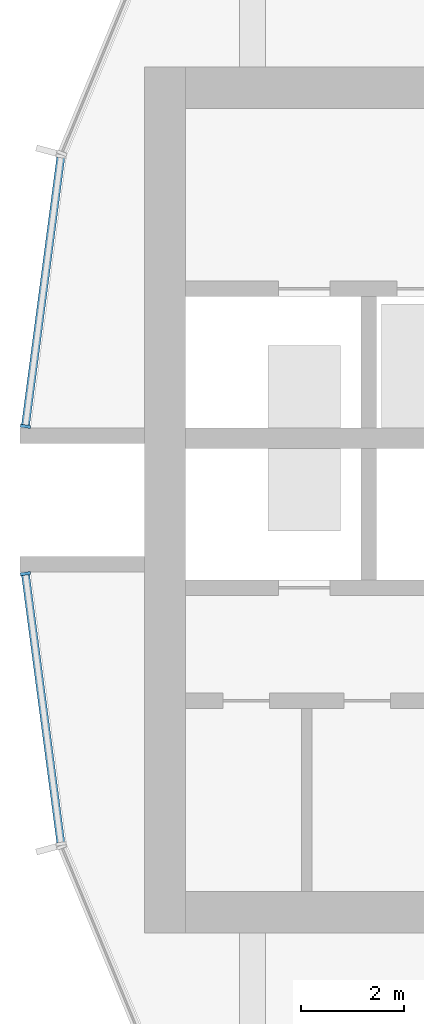
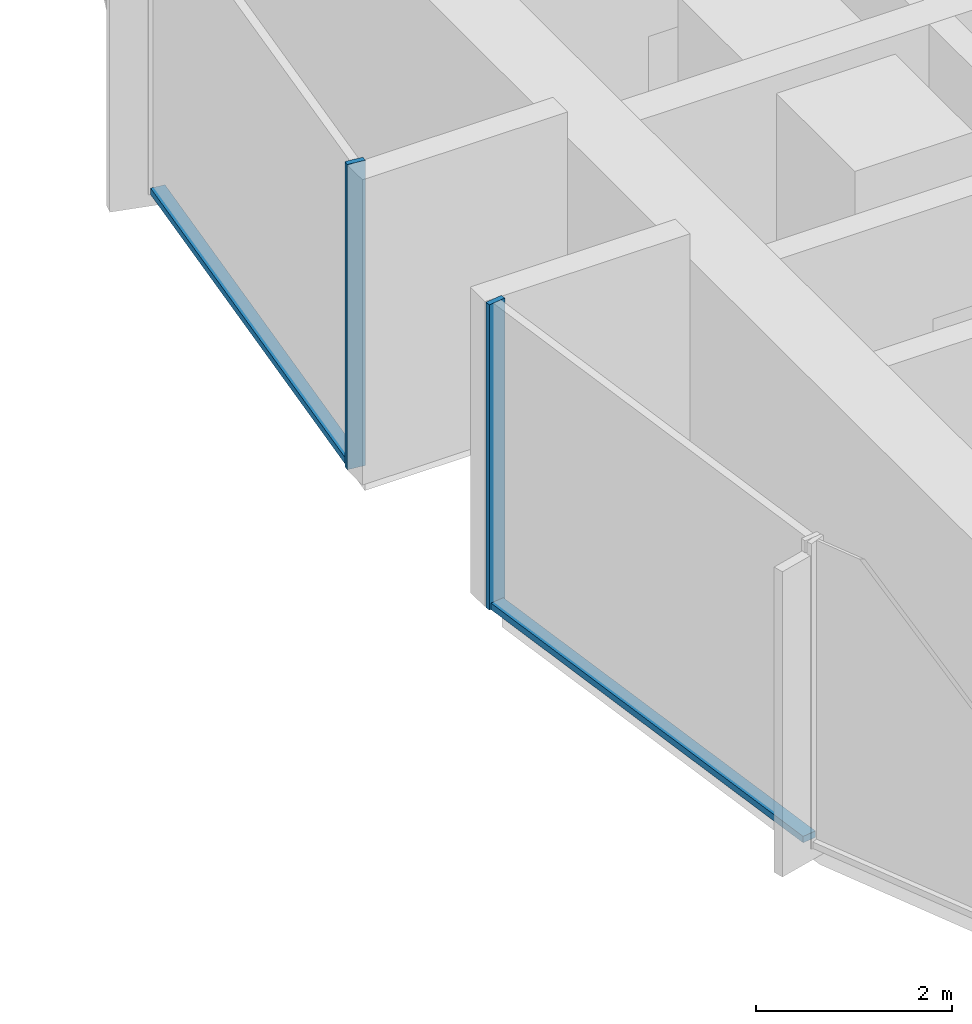
# One storey, part 3 of 15: 4 members, 2 elements without a shape of their own.
"""IFC4 building model written with IfcOpenShell, lengths in metres."""

from ifc_helpers import new_model, si_unit, direction, frame, origin, origin_2d, place, context, subcontext, project, spatial, rectangle, extrude, material, layer, layer_set, material_profile, profile_set, type_object, element, aggregate, save


model = new_model("IFC4")

# Units and contexts
model_context = context("Model", 3, precision=1e-05, world=origin(), true_north=direction((0.0, 1.0)))
body_context = subcontext(model_context, "Body", "Model", "MODEL_VIEW")
ifc_project = project(units=[si_unit("LENGTHUNIT", "METRE"), si_unit("AREAUNIT", "SQUARE_METRE"), si_unit("VOLUMEUNIT", "CUBIC_METRE"), si_unit("PLANEANGLEUNIT", "RADIAN"), si_unit("MASSUNIT", "GRAM", prefix="KILO")], contexts=[model_context])

# Site, building, storey
site_placement = place(None, origin())
site = spatial("IfcSite", under=ifc_project, at=site_placement, CompositionType="ELEMENT")
building_placement = place(site_placement, origin())
building = spatial("IfcBuilding", under=site, at=building_placement, Name="Torre Brocal", CompositionType="ELEMENT")
storey_placement = place(building_placement, frame((0.0, 0.0, 40.199951171875)))
storey = spatial("IfcBuildingStorey", under=building, at=storey_placement, Name="L08", CompositionType="ELEMENT", Elevation=40.199951171875)

# Curtain wall, member
ifc_material_1 = material(Name="Aluminium and glass", Category="aluminium")
ifc_layer = layer(ifc_material_1, 0.199951171875)
ifc_layer_set = layer_set([ifc_layer], Name="Aluminium and glass")
curtain_wall_type = type_object("IfcCurtainWallType", Name="CW-1B CURTAIN WALL 3800 HIGH", PredefinedType="NOTDEFINED", material=ifc_layer_set)
curtain_wall_1_placement = place(storey_placement, origin())
curtain_wall_1 = element("IfcCurtainWall", 1, at=curtain_wall_1_placement, inside=storey, type_object=curtain_wall_type, Name="CW-1B RUN 12", PredefinedType="NOTDEFINED")
ifc_material_2 = material(Name="Aluminium, dark anodised", Category="aluminium")
ifc_material_profile_1 = material_profile(ifc_material_2, rectangle(XDim=0.199951171875, YDim=0.06005859375, at=origin_2d()), Name="CW-1B MULLION 60X200")
ifc_profile_set_1 = profile_set([ifc_material_profile_1], Name="Aluminium, dark anodised")
member_type_1 = type_object("IfcMemberType", Name="CW-1B MULLION 60X200", PredefinedType="MULLION", material=ifc_profile_set_1)
member_1_placement = place(storey_placement, frame((54.2890625, 76.4296875, 0.0), z_axis=(0.0, 0.0, 1.0), x_axis=(0.991444861374, -0.13052619222, 0.0)))
member_1 = element("IfcMember", 2, at=member_1_placement, type_object=member_type_1, Name="CW1B-1 mullion 2", PredefinedType="MULLION", context=body_context, shape_type="SweptSolid", body=[
    extrude(rectangle(XDim=0.199951171875, YDim=0.06005859375, at=origin_2d()), origin(), (0.0, 0.0, 1.0), 3.800048828125),
])

curtain_wall_2_placement = place(storey_placement, origin())
curtain_wall_2 = element("IfcCurtainWall", 3, at=curtain_wall_2_placement, inside=storey, type_object=curtain_wall_type, Name="CW-1B RUN 13", PredefinedType="NOTDEFINED")
member_2_placement = place(storey_placement, frame((54.2890625, 73.5703125, 0.0), z_axis=(0.0, 0.0, 1.0), x_axis=(0.991444861374, 0.13052619222, 0.0)))
member_2 = element("IfcMember", 4, at=member_2_placement, type_object=member_type_1, Name="CW1B-1 mullion 1", PredefinedType="MULLION", context=body_context, shape_type="SweptSolid", body=[
    extrude(rectangle(XDim=0.199951171875, YDim=0.06005859375, at=origin_2d()), origin(), (0.0, 0.0, 1.0), 3.800048828125),
])

# Member
ifc_material_3 = material(Name="Aluminium, dark anodised", Category="aluminium")
ifc_material_profile_2 = material_profile(ifc_material_3, rectangle(XDim=0.159912109375, YDim=0.080078125, at=origin_2d()), Name="CW-1B TRANSOM 160X80")
ifc_profile_set_2 = profile_set([ifc_material_profile_2], Name="Aluminium, dark anodised")
member_type_2 = type_object("IfcMemberType", Name="CW-1B TRANSOM 160X80", PredefinedType="USERDEFINED", material=ifc_profile_set_2)
member_3_placement = place(storey_placement, frame((54.9755859375, 81.643798828125, 0.0400390625), z_axis=(-0.130542677827, -0.991442690863, 0.0), x_axis=(0.991442690863, -0.130542677827, 0.0)))
member_3 = element("IfcMember", 5, at=member_3_placement, type_object=member_type_2, Name="CW1B-1 transom 1.1", ObjectType="TRANSOM", PredefinedType="USERDEFINED", context=body_context, shape_type="SweptSolid", body=[
    extrude(rectangle(XDim=0.159912109375, YDim=0.080078125, at=origin_2d()), origin(), (0.0, 0.0, 1.0), 5.22900390625),
])

aggregate(curtain_wall_1, [member_1, member_3])

member_4_placement = place(storey_placement, frame((54.29296875, 73.54052734375, 0.0400390625), z_axis=(0.130542677827, -0.991442690863, 0.0), x_axis=(0.991442690863, 0.130542677827, 0.0)))
member_4 = element("IfcMember", 6, at=member_4_placement, type_object=member_type_2, Name="CW1B-1 transom 1.1", ObjectType="TRANSOM", PredefinedType="USERDEFINED", context=body_context, shape_type="SweptSolid", body=[
    extrude(rectangle(XDim=0.159912109375, YDim=0.080078125, at=origin_2d()), origin(), (0.0, 0.0, 1.0), 5.22900390625),
])

aggregate(curtain_wall_2, [member_2, member_4])

save(model, "model.ifc")
